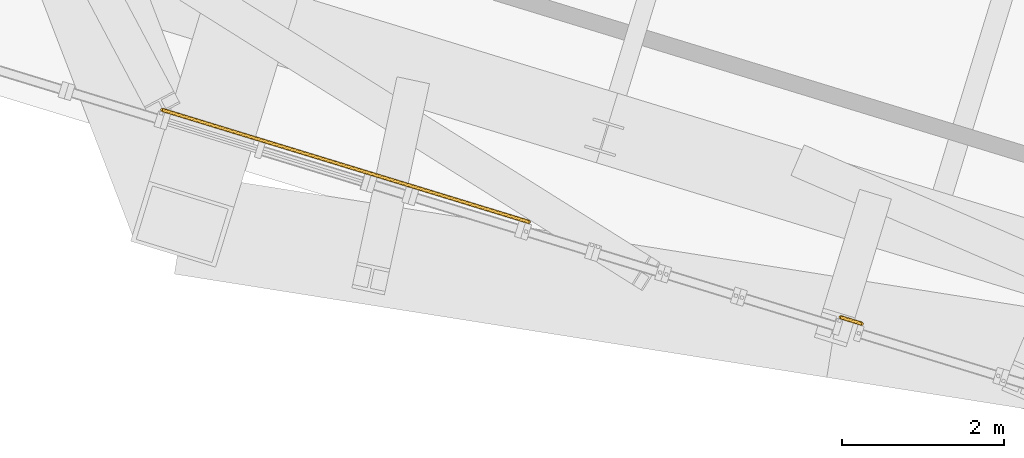
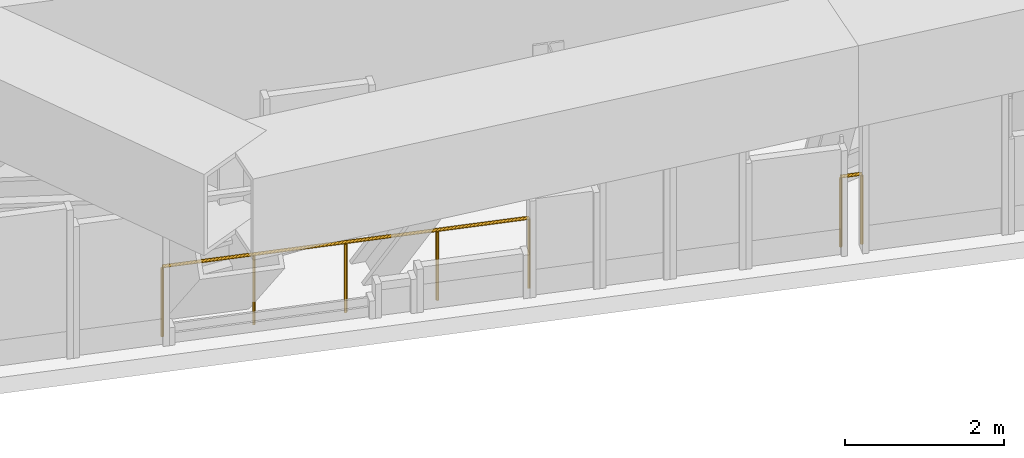
# One storey, part 28 of 31: 2 railings.
"""IFC4 building model written with IfcOpenShell, lengths in metres."""

import ifcopenshell
import ifcopenshell.guid

model = None  # the IFC model being written
_history = None  # IfcOwnerHistory: only IFC2X3 demands one
_inside = {}  # id of a spatial element -> (the spatial element, [elements in it])
_under = {}  # id of a project, library or spatial element -> (it, [spatial elements below it])
_declared = {}  # id of a project -> (the project, [libraries it declares])
_typed = {}  # id of a type object -> (the type object, [elements of that type])
_made_of = {}  # id of a material, layer set ... -> (it, [elements and type objects made of it])


def new_model(schema):
    """Start an empty IFC model of exactly this schema.

    Asked for "IFC4X3", IfcOpenShell would pick the latest addendum, in which some entities
    have other attributes; the version numbers below select the first issue.
    IFC2X3 requires an IfcOwnerHistory on every rooted entity: one is made here for all.
    """
    global model, _history
    if schema == "IFC4X3":
        model = ifcopenshell.file(schema_version=(4, 3, 0, 0))
    else:
        model = ifcopenshell.file(schema=schema)
    _inside.clear()
    _under.clear()
    _declared.clear()
    _typed.clear()
    _made_of.clear()
    _history = None
    if model.schema == "IFC2X3":
        org = make("IfcOrganization", Name="unknown")
        user = make(
            "IfcPersonAndOrganization",
            ThePerson=make("IfcPerson", FamilyName="unknown"),
            TheOrganization=org,
        )
        app = make(
            "IfcApplication",
            ApplicationDeveloper=org,
            Version="unknown",
            ApplicationFullName="unknown",
            ApplicationIdentifier="unknown",
        )
        _history = make(
            "IfcOwnerHistory",
            OwningUser=user,
            OwningApplication=app,
            ChangeAction="ADDED",
            CreationDate=0,
        )
    return model


def make(cls, **values):
    """One entity of the class cls with the attributes given. An attribute that is None is left unset."""
    return model.create_entity(
        cls, **{name: value for name, value in values.items() if value is not None}
    )


def rooted(cls, **values):
    """An entity with a GlobalId (a new one), such as an element, a storey or a relation."""
    return make(cls, GlobalId=ifcopenshell.guid.new(), OwnerHistory=_history, **values)


def si_unit(unit_type, name, prefix=None):
    """IfcSIUnit, for example si_unit("LENGTHUNIT", "METRE", prefix="MILLI")."""
    return make("IfcSIUnit", UnitType=unit_type, Prefix=prefix, Name=name)


def assignment(units):
    """IfcUnitAssignment: the units of a project."""
    return None if units is None else make("IfcUnitAssignment", Units=units)


def point(xyz):
    """IfcCartesianPoint."""
    return None if xyz is None else make("IfcCartesianPoint", Coordinates=xyz)


def direction(xyz):
    """IfcDirection."""
    return None if xyz is None else make("IfcDirection", DirectionRatios=xyz)


def frame(location, z_axis=None, x_axis=None):
    """IfcAxis2Placement3D, a coordinate frame: its origin and axes. An axis left out is left unset."""
    return make(
        "IfcAxis2Placement3D",
        Location=point(location),
        Axis=direction(z_axis),
        RefDirection=direction(x_axis),
    )


def frame_2d(location, x_axis=None):
    """IfcAxis2Placement2D, a coordinate frame in the plane: its origin and x axis."""
    return make(
        "IfcAxis2Placement2D", Location=point(location), RefDirection=direction(x_axis)
    )


def origin():
    """The frame at (0, 0, 0) with its axes left unset."""
    return frame((0.0, 0.0, 0.0))


def origin_2d():
    """The frame at (0, 0) in the plane with its x axis left unset."""
    return frame_2d((0.0, 0.0))


def place(relative_to, where):
    """IfcLocalPlacement: puts the frame where relative to a parent placement (None: the world)."""
    return make(
        "IfcLocalPlacement", PlacementRelTo=relative_to, RelativePlacement=where
    )


def context(
    kind, dimensions, precision=None, world=None, true_north=None, identifier=None
):
    """IfcGeometricRepresentationContext, for example the 3D "Model" context."""
    return make(
        "IfcGeometricRepresentationContext",
        ContextIdentifier=identifier,
        ContextType=kind,
        CoordinateSpaceDimension=dimensions,
        Precision=precision,
        WorldCoordinateSystem=world,
        TrueNorth=true_north,
    )


def subcontext(parent, identifier, kind, view, scale=None):
    """IfcGeometricRepresentationSubContext, for example "Body" below "Model"."""
    return make(
        "IfcGeometricRepresentationSubContext",
        ContextIdentifier=identifier,
        ContextType=kind,
        ParentContext=parent,
        TargetScale=scale,
        TargetView=view,
    )


def project(units=None, contexts=None):
    """IfcProject with its units and contexts."""
    return rooted(
        "IfcProject",
        Name="project",
        RepresentationContexts=contexts,
        UnitsInContext=assignment(units),
    )


def spatial(cls, under=None, at=None, **own):
    """A site, building, storey or space (cls), placed at a placement, below another one or the project."""
    s = rooted(cls, ObjectPlacement=at, **own)
    if under is not None:
        _under.setdefault(under.id(), (under, []))[1].append(s)
    return s


def profile(cls, at=None, kind="AREA", **sizes):
    """A parametric profile (cls). Its sizes go by their IFC names, for example OverallWidth=200.0."""
    return make(cls, ProfileType=kind, Position=at, **sizes)


def circle(**sizes):
    """IfcCircleProfileDef."""
    return profile("IfcCircleProfileDef", **sizes)


def extrude(swept, where, along, depth):
    """IfcExtrudedAreaSolid: the profile swept, set in the frame where, extruded along a direction by depth."""
    return make(
        "IfcExtrudedAreaSolid",
        SweptArea=swept,
        Position=where,
        ExtrudedDirection=direction(along),
        Depth=depth,
    )


def shape(context_of_items, identifier, shape_type, items):
    """IfcShapeRepresentation: the items that make up one representation, for example the "Body"."""
    return make(
        "IfcShapeRepresentation",
        ContextOfItems=context_of_items,
        RepresentationIdentifier=identifier,
        RepresentationType=shape_type,
        Items=items,
    )


def material(Name=None, Category=None):
    """IfcMaterial."""
    return make("IfcMaterial", Name=Name, Category=Category)


def made_of(thing, what):
    """Note that an element or type object is made of a material, layer set ...; save() writes the relation."""
    if what is not None:
        _made_of.setdefault(what.id(), (what, []))[1].append(thing)
    return thing


def type_object(cls, material=None, **own):
    """A type object (cls), such as IfcWallType, which elements share."""
    return made_of(rooted(cls, **own), material)


def element(
    cls,
    number,
    at=None,
    inside=None,
    cuts=None,
    type_object=None,
    material=None,
    context=None,
    identifier="Body",
    shape_type=None,
    held_by="IfcProductDefinitionShape",
    body=None,
    shapes=None,
    **own,
):
    """One element of the class cls, such as IfcWall. Its Tag is "e" and its number.

    at: its placement. inside: the storey or other place that contains it. cuts: it is an
    opening in that element (IfcRelVoidsElement). A single representation is given by context,
    identifier, shape_type and body (its items); several are given by shapes. held_by: the class
    of the entity that holds the representations. save() writes the other relations.
    """
    e = rooted(cls, Tag="e%d" % number, ObjectPlacement=at, **own)
    if body is not None:
        shapes = [shape(context, identifier, shape_type, body)]
    if shapes is not None:
        e.Representation = make(held_by, Representations=shapes)
    if inside is not None:
        _inside.setdefault(inside.id(), (inside, []))[1].append(e)
    if cuts is not None:
        rooted(
            "IfcRelVoidsElement", RelatingBuildingElement=cuts, RelatedOpeningElement=e
        )
    if type_object is not None:
        _typed.setdefault(type_object.id(), (type_object, []))[1].append(e)
    return made_of(e, material)


def aggregate(whole, parts):
    """IfcRelAggregates: a whole, such as a stair, and the parts it consists of."""
    return rooted("IfcRelAggregates", RelatingObject=whole, RelatedObjects=parts)


def save(model, path):
    """Write the relations noted so far, then the file.

    IfcRelAggregates (storeys below a building ...), IfcRelContainedInSpatialStructure (elements
    in a storey), IfcRelDefinesByType, IfcRelAssociatesMaterial and IfcRelDeclares: one each for
    every whole, place, type object, material and project.
    """
    for whole, parts in _under.values():
        aggregate(whole, parts)
    for where, things in _inside.values():
        rooted(
            "IfcRelContainedInSpatialStructure",
            RelatedElements=things,
            RelatingStructure=where,
        )
    for kind, things in _typed.values():
        rooted("IfcRelDefinesByType", RelatedObjects=things, RelatingType=kind)
    for what, things in _made_of.values():
        rooted("IfcRelAssociatesMaterial", RelatedObjects=things, RelatingMaterial=what)
    for by, libraries in _declared.values():
        rooted("IfcRelDeclares", RelatingContext=by, RelatedDefinitions=libraries)
    model.write(path)


model = new_model("IFC4")

# Units and contexts
model_context = context("Model", 3, precision=1e-05, world=origin(), true_north=direction((0.0, 1.0)))
body_context = subcontext(model_context, "Body", "Model", "MODEL_VIEW")
ifc_project = project(units=[si_unit("LENGTHUNIT", "METRE"), si_unit("AREAUNIT", "SQUARE_METRE"), si_unit("VOLUMEUNIT", "CUBIC_METRE"), si_unit("PLANEANGLEUNIT", "RADIAN"), si_unit("MASSUNIT", "GRAM", prefix="KILO")], contexts=[model_context])

# Site, building, storey
site_placement = place(None, origin())
site = spatial("IfcSite", under=ifc_project, at=site_placement, CompositionType="ELEMENT")
building_placement = place(site_placement, origin())
building = spatial("IfcBuilding", under=site, at=building_placement, Name="Triune Harvest Tower", CompositionType="ELEMENT")
storey_placement = place(building_placement, frame((0.0, 0.0, 134.300048828125)))
storey = spatial("IfcBuildingStorey", under=building, at=storey_placement, Name="L34", CompositionType="ELEMENT", Elevation=134.300048828125)

# Railings
ifc_material = material(Name="Glass", Category="glass")
railing_type = type_object("IfcRailingType", Name="GD-3 facade guard 1100", PredefinedType="GUARDRAIL", material=ifc_material)
railing_1_placement = place(storey_placement, frame((-27.593017578125, -14.46484375, 0.0)))
element("IfcRailing", 1, at=railing_1_placement, inside=storey, type_object=railing_type, Name="Facade guard B3-F5 L34.1.1", PredefinedType="GUARDRAIL", context=body_context, shape_type="SweptSolid", body=[
    extrude(circle(Radius=0.02392578125, at=origin_2d()), frame((0.0, 0.0, 1.076171875), z_axis=(0.956308030196, -0.292360994976, 0.0), x_axis=(0.292360994976, 0.956308030196, 0.0)), (0.0, 0.0, 1.0), 4.74560546875),
    extrude(circle(Radius=0.02099609375, at=origin_2d()), origin(), (0.0, 0.0, 1.0), 1.052001953125),
    extrude(circle(Radius=0.02099609375, at=origin_2d()), frame((1.134521484375, -0.346923828125, 0.0)), (0.0, 0.0, 1.0), 1.052001953125),
    extrude(circle(Radius=0.02099609375, at=origin_2d()), frame((2.26904296875, -0.69384765625, 0.0)), (0.0, 0.0, 1.0), 1.052001953125),
    extrude(circle(Radius=0.02099609375, at=origin_2d()), frame((3.40380859375, -1.04052734375, 0.0)), (0.0, 0.0, 1.0), 1.052001953125),
    extrude(circle(Radius=0.02099609375, at=origin_2d()), frame((4.538330078125, -1.387451171875, 0.0)), (0.0, 0.0, 1.0), 1.052001953125),
])
railing_2_placement = place(storey_placement, frame((-19.19921875, -17.031005859375, 0.0)))
element("IfcRailing", 2, at=railing_2_placement, inside=storey, type_object=railing_type, Name="Facade guard B3-F5 L34.1.2", PredefinedType="GUARDRAIL", context=body_context, shape_type="SweptSolid", body=[
    extrude(circle(Radius=0.02392578125, at=origin_2d()), frame((0.0, 0.0, 1.076171875), z_axis=(0.956316970812, -0.292331748766, 0.0), x_axis=(0.292331748766, 0.956316970812, 0.0)), (0.0, 0.0, 1.0), 0.27392578125),
    extrude(circle(Radius=0.02099609375, at=origin_2d()), origin(), (0.0, 0.0, 1.0), 1.052001953125),
    extrude(circle(Radius=0.02099609375, at=origin_2d()), frame((0.261962890625, -0.080078125, 0.0)), (0.0, 0.0, 1.0), 1.052001953125),
])

save(model, "model.ifc")
